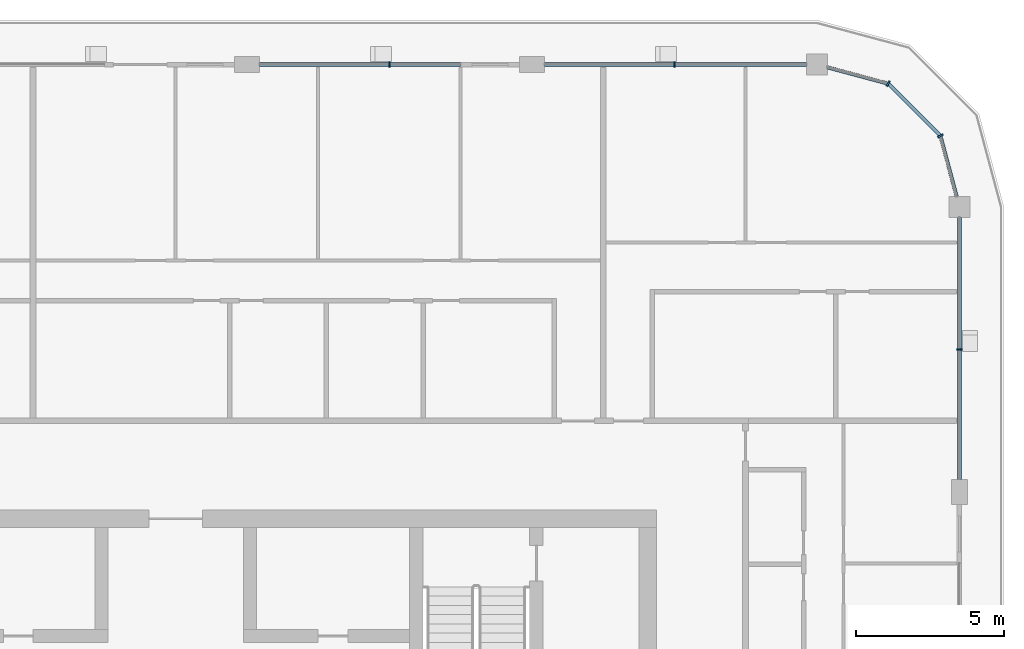
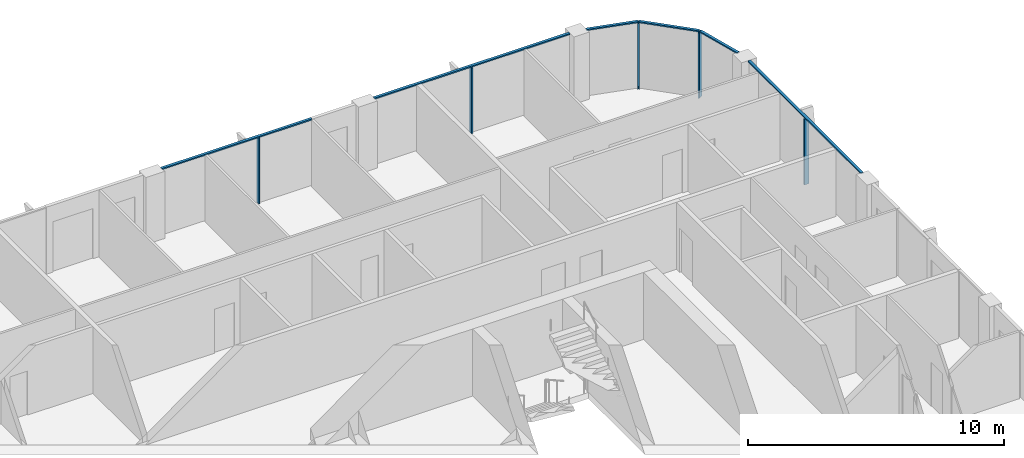
# One storey, part 6 of 21: 11 members, 4 elements without a shape of their own.
"""IFC4 building model written with IfcOpenShell, lengths in metres."""

from ifc_helpers import new_model, si_unit, direction, frame, origin, origin_2d, place, context, subcontext, project, spatial, rectangle, extrude, material, layer, layer_set, material_profile, profile_set, type_object, element, aggregate, save


model = new_model("IFC4")

# Units and contexts
model_context = context("Model", 3, precision=1e-05, world=origin(), true_north=direction((0.0, 1.0)))
body_context = subcontext(model_context, "Body", "Model", "MODEL_VIEW")
ifc_project = project(units=[si_unit("LENGTHUNIT", "METRE"), si_unit("AREAUNIT", "SQUARE_METRE"), si_unit("VOLUMEUNIT", "CUBIC_METRE"), si_unit("PLANEANGLEUNIT", "RADIAN"), si_unit("MASSUNIT", "GRAM", prefix="KILO")], contexts=[model_context])

# Site, building, storey
site_placement = place(None, origin())
site = spatial("IfcSite", under=ifc_project, at=site_placement, CompositionType="ELEMENT")
building_placement = place(site_placement, origin())
building = spatial("IfcBuilding", under=site, at=building_placement, Name="Madar Terraces", CompositionType="ELEMENT")
storey_placement = place(building_placement, frame((0.0, 0.0, 242.199951171875)))
storey = spatial("IfcBuildingStorey", under=building, at=storey_placement, Name="L63", CompositionType="ELEMENT", Elevation=242.199951171875)

# Curtain wall, member
ifc_material_1 = material(Name="Glass, ceramic frit dark grey, with black aluminium frame", Category="aluminium")
ifc_layer = layer(ifc_material_1, 0.199951171875)
ifc_layer_set = layer_set([ifc_layer], Name="Facade curtain wall, fritted glass")
curtain_wall_type = type_object("IfcCurtainWallType", Name="Facade curtain wall, fritted glass", PredefinedType="NOTDEFINED", material=ifc_layer_set)
curtain_wall_1_placement = place(storey_placement, origin())
curtain_wall_1 = element("IfcCurtainWall", 1, at=curtain_wall_1_placement, inside=storey, type_object=curtain_wall_type, Name="Outer skin curtain wall east bay 4", PredefinedType="NOTDEFINED")
ifc_material_2 = material(Name="Aluminium, black anodised", Category="aluminium")
ifc_material_profile_1 = material_profile(ifc_material_2, rectangle(XDim=0.199951171875, YDim=0.06005859375, at=origin_2d()), Name="Facade mullion 60x200")
ifc_profile_set_1 = profile_set([ifc_material_profile_1], Name="Aluminium, black anodised")
member_type_1 = type_object("IfcMemberType", Name="Facade mullion 60x200", PredefinedType="MULLION", material=ifc_profile_set_1)
member_1_placement = place(storey_placement, frame((57.60009765625, 43.199951171875, 0.0), z_axis=(0.0, 0.0, 1.0), x_axis=(-1.0, 0.0, 0.0)))
member_1 = element("IfcMember", 2, at=member_1_placement, type_object=member_type_1, Name="Mullion 1", PredefinedType="MULLION", context=body_context, shape_type="SweptSolid", body=[
    extrude(rectangle(XDim=0.199951171875, YDim=0.06005859375, at=origin_2d()), origin(), (0.0, 0.0, 1.0), 3.14013671875),
])

curtain_wall_2_placement = place(storey_placement, origin())
curtain_wall_2 = element("IfcCurtainWall", 3, at=curtain_wall_2_placement, inside=storey, type_object=curtain_wall_type, Name="Outer skin curtain wall north bay 1", PredefinedType="NOTDEFINED")
member_2_placement = place(storey_placement, frame((48.0, 52.800048828125, 0.0), z_axis=(0.0, 0.0, 1.0), x_axis=(0.0, -1.0, 0.0)))
member_2 = element("IfcMember", 4, at=member_2_placement, type_object=member_type_1, Name="Mullion 1", PredefinedType="MULLION", context=body_context, shape_type="SweptSolid", body=[
    extrude(rectangle(XDim=0.199951171875, YDim=0.06005859375, at=origin_2d()), origin(), (0.0, 0.0, 1.0), 3.14013671875),
])

curtain_wall_3_placement = place(storey_placement, origin())
curtain_wall_3 = element("IfcCurtainWall", 5, at=curtain_wall_3_placement, inside=storey, type_object=curtain_wall_type, Name="Outer skin curtain wall north bay 2", PredefinedType="NOTDEFINED")
member_3_placement = place(storey_placement, frame((38.39990234375, 52.800048828125, 0.0), z_axis=(0.0, 0.0, 1.0), x_axis=(0.0, -1.0, 0.0)))
member_3 = element("IfcMember", 6, at=member_3_placement, type_object=member_type_1, Name="Mullion 1", PredefinedType="MULLION", context=body_context, shape_type="SweptSolid", body=[
    extrude(rectangle(XDim=0.199951171875, YDim=0.06005859375, at=origin_2d()), origin(), (0.0, 0.0, 1.0), 3.14013671875),
])

# Curtain wall, members
curtain_wall_4_placement = place(storey_placement, origin())
curtain_wall_4 = element("IfcCurtainWall", 7, at=curtain_wall_4_placement, inside=storey, type_object=curtain_wall_type, Name="Outer skin curtain wall north-east corner", PredefinedType="NOTDEFINED")
member_4_placement = place(storey_placement, frame((56.95703125, 50.39990234375, 0.0), z_axis=(0.0, 0.0, 1.0), x_axis=(-0.866025409797, -0.499999989586, 0.0)))
member_4 = element("IfcMember", 8, at=member_4_placement, type_object=member_type_1, Name="Mullion 1", PredefinedType="MULLION", context=body_context, shape_type="SweptSolid", body=[
    extrude(rectangle(XDim=0.199951171875, YDim=0.06005859375, at=origin_2d()), origin(), (0.0, 0.0, 1.0), 3.14013671875),
])
member_5_placement = place(storey_placement, frame((55.199951171875, 52.156982421875, 0.0), z_axis=(0.0, 0.0, 1.0), x_axis=(-0.499999989586, -0.866025409797, 0.0)))
member_5 = element("IfcMember", 9, at=member_5_placement, type_object=member_type_1, Name="Mullion 2", PredefinedType="MULLION", context=body_context, shape_type="SweptSolid", body=[
    extrude(rectangle(XDim=0.199951171875, YDim=0.06005859375, at=origin_2d()), origin(), (0.0, 0.0, 1.0), 3.14013671875),
])

# Member
ifc_material_3 = material(Name="Aluminium, black anodised", Category="aluminium")
ifc_material_profile_2 = material_profile(ifc_material_3, rectangle(XDim=0.1201171875, YDim=0.06005859375, at=origin_2d()), Name="Facade transom 60x120")
ifc_profile_set_2 = profile_set([ifc_material_profile_2], Name="Aluminium, black anodised")
member_type_2 = type_object("IfcMemberType", Name="Facade transom 60x120", PredefinedType="USERDEFINED", material=ifc_profile_set_2)
member_6_placement = place(storey_placement, frame((57.60009765625, 38.824951171875, 3.170166015625), z_axis=(0.0, 1.0, 0.0), x_axis=(-1.0, 0.0, 0.0)))
member_6 = element("IfcMember", 10, at=member_6_placement, type_object=member_type_2, Name="Transom 1", ObjectType="TRANSOM", PredefinedType="USERDEFINED", context=body_context, shape_type="SweptSolid", body=[
    extrude(rectangle(XDim=0.1201171875, YDim=0.06005859375, at=origin_2d()), origin(), (0.0, 0.0, 1.0), 8.824951171875),
])

aggregate(curtain_wall_1, [member_1, member_6])

member_7_placement = place(storey_placement, frame((52.449951171875, 52.800048828125, 3.170166015625), z_axis=(-1.0, 0.0, 0.0), x_axis=(0.0, -1.0, 0.0)))
member_7 = element("IfcMember", 11, at=member_7_placement, type_object=member_type_2, Name="Transom 1", ObjectType="TRANSOM", PredefinedType="USERDEFINED", context=body_context, shape_type="SweptSolid", body=[
    extrude(rectangle(XDim=0.1201171875, YDim=0.06005859375, at=origin_2d()), origin(), (0.0, 0.0, 1.0), 8.824951171875),
])

aggregate(curtain_wall_2, [member_2, member_7])

member_8_placement = place(storey_placement, frame((40.800048828125, 52.800048828125, 3.170166015625), z_axis=(-1.0, 0.0, 0.0), x_axis=(0.0, -1.0, 0.0)))
member_8 = element("IfcMember", 12, at=member_8_placement, type_object=member_type_2, Name="Transom 1", ObjectType="TRANSOM", PredefinedType="USERDEFINED", context=body_context, shape_type="SweptSolid", body=[
    extrude(rectangle(XDim=0.1201171875, YDim=0.06005859375, at=origin_2d()), origin(), (0.0, 0.0, 1.0), 6.775146484375),
])

aggregate(curtain_wall_3, [member_3, member_8])

member_9_placement = place(storey_placement, frame((57.506103515625, 48.35009765625, 3.170166015625), z_axis=(-0.258809963731, 0.965928259589, 0.0), x_axis=(-0.965928259589, -0.258809963731, 0.0)))
member_9 = element("IfcMember", 13, at=member_9_placement, type_object=member_type_2, Name="Transom 1", ObjectType="TRANSOM", PredefinedType="USERDEFINED", context=body_context, shape_type="SweptSolid", body=[
    extrude(rectangle(XDim=0.1201171875, YDim=0.06005859375, at=origin_2d()), origin(), (0.0, 0.0, 1.0), 2.09228515625),
])

member_10_placement = place(storey_placement, frame((56.935791015625, 50.421142578125, 3.170166015625), z_axis=(-0.707106781187, 0.707106781187, 0.0), x_axis=(-0.707106781187, -0.707106781187, 0.0)))
member_10 = element("IfcMember", 14, at=member_10_placement, type_object=member_type_2, Name="Transom 2", ObjectType="TRANSOM", PredefinedType="USERDEFINED", context=body_context, shape_type="SweptSolid", body=[
    extrude(rectangle(XDim=0.1201171875, YDim=0.06005859375, at=origin_2d()), origin(), (0.0, 0.0, 1.0), 2.4248046875),
])

member_11_placement = place(storey_placement, frame((55.171142578125, 52.164794921875, 3.170166015625), z_axis=(-0.965936074212, 0.258780796304, 0.0), x_axis=(-0.258780796304, -0.965936074212, 0.0)))
member_11 = element("IfcMember", 15, at=member_11_placement, type_object=member_type_2, Name="Transom 3", ObjectType="TRANSOM", PredefinedType="USERDEFINED", context=body_context, shape_type="SweptSolid", body=[
    extrude(rectangle(XDim=0.1201171875, YDim=0.06005859375, at=origin_2d()), origin(), (0.0, 0.0, 1.0), 2.092529296875),
])

aggregate(curtain_wall_4, [member_4, member_9, member_5, member_10, member_11])

save(model, "model.ifc")
